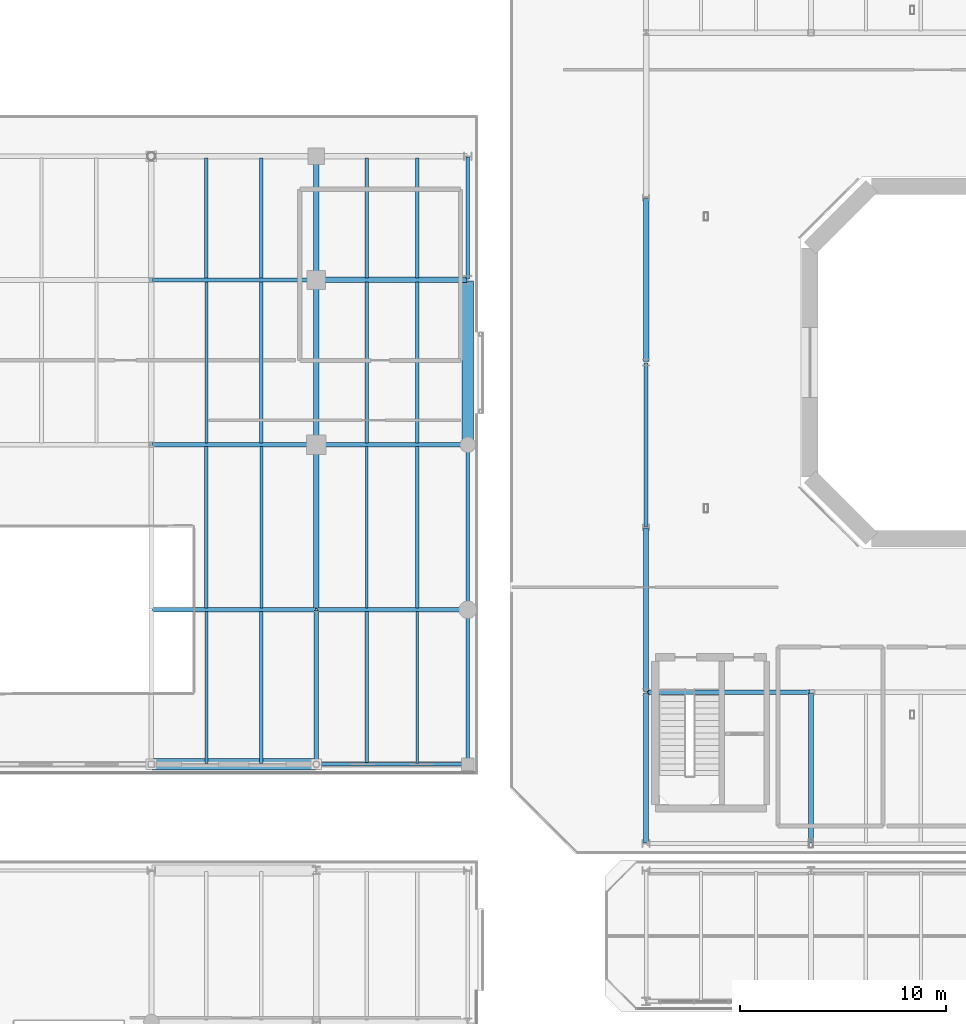
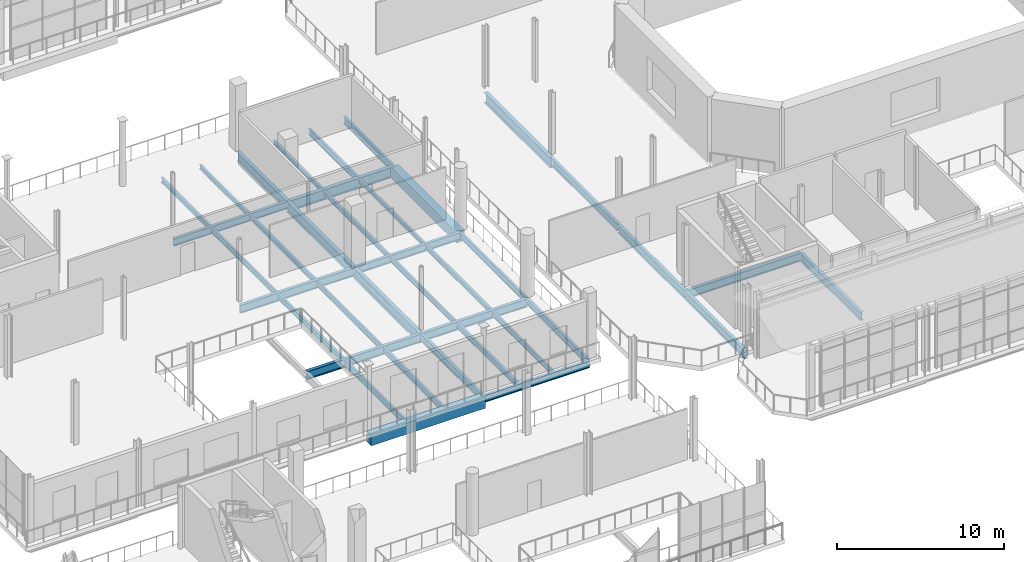
# One storey, part 35 of 93: 38 beams.
"""IFC4 building model written with IfcOpenShell, lengths in metres."""

from ifc_helpers import new_model, si_unit, direction, frame, origin, origin_2d, place, context, subcontext, project, spatial, rectangle, i_section, extrude, material, material_profile, profile_set, type_object, element, save


model = new_model("IFC4")

# Units and contexts
model_context = context("Model", 3, precision=1e-05, world=origin(), true_north=direction((0.0, 1.0)))
body_context = subcontext(model_context, "Body", "Model", "MODEL_VIEW")
ifc_project = project(units=[si_unit("LENGTHUNIT", "METRE"), si_unit("AREAUNIT", "SQUARE_METRE"), si_unit("VOLUMEUNIT", "CUBIC_METRE"), si_unit("PLANEANGLEUNIT", "RADIAN"), si_unit("MASSUNIT", "GRAM", prefix="KILO")], contexts=[model_context])

# Site, building, storey
site_placement = place(None, origin())
site = spatial("IfcSite", under=ifc_project, at=site_placement, CompositionType="ELEMENT")
building_placement = place(site_placement, origin())
building = spatial("IfcBuilding", under=site, at=building_placement, Name="Brisemont Oceanarium", CompositionType="ELEMENT")
storey_placement = place(building_placement, frame((0.0, 0.0, 5.39990234375)))
storey = spatial("IfcBuildingStorey", under=building, at=storey_placement, Name="L01", CompositionType="ELEMENT", Elevation=5.39990234375)

# Beams
ifc_material_1 = material(Name="Concrete C40/50", Category="concrete")
ifc_material_profile_1 = material_profile(ifc_material_1, rectangle(XDim=0.550048828125, YDim=0.800048828125, at=origin_2d()), Name="RC-BM-550X800")
ifc_profile_set_1 = profile_set([ifc_material_profile_1], Name="Concrete C40/50")
beam_type_1 = type_object("IfcBeamType", Name="BM-RC550X800", PredefinedType="SPANDREL", material=ifc_profile_set_1)
for number, where, z_axis, x_axis, name in (
    (1, (40.0400390625, 36.5, -0.699951171875), (1.0, 0.0, 0.0), (0.0, 1.0, 0.0), "V5W L01 EW girder"),
    (2, (55.35009765625, 52.0400390625, -0.699951171875), (0.0, 1.0, 0.0), (-1.0, 0.0, 0.0), "V5W L01 NS girder"),
):
    element("IfcBeam", number, at=place(storey_placement, frame(where, z_axis=z_axis, x_axis=x_axis)), inside=storey, type_object=beam_type_1, Name=name, PredefinedType="SPANDREL", context=body_context, shape_type="SweptSolid", body=[
        extrude(rectangle(XDim=0.550048828125, YDim=0.800048828125, at=origin_2d()), origin(), (0.0, 0.0, 1.0), 7.919921875),
    ])
ifc_material_2 = material(Name="Structural Steel ASTM A992 Gr.50", Category="steel")
ifc_material_profile_2 = material_profile(ifc_material_2, i_section(OverallWidth=0.1650390625, OverallDepth=0.31005859375, WebThickness=0.005859375, FlangeThickness=0.009765625, FilletRadius=0.008056640625, at=origin_2d()), Name="W12X26")
ifc_profile_set_2 = profile_set([ifc_material_profile_2], Name="Structural Steel ASTM A992 Gr.50")
beam_type_2 = type_object("IfcBeamType", Name="BM-W12X26", PredefinedType="JOIST", material=ifc_profile_set_2)
beam_1_placement = place(storey_placement, frame((45.333251953125, 60.090087890625, -0.454833984375), z_axis=(0.0, 1.0, 0.0), x_axis=(-1.0, 0.0, 0.0)))
element("IfcBeam", 3, at=beam_1_placement, inside=storey, type_object=beam_type_2, Name="V5W L01 secondary floor beam", PredefinedType="JOIST", context=body_context, shape_type="SweptSolid", body=[
    extrude(i_section(OverallWidth=0.1650390625, OverallDepth=0.31005859375, WebThickness=0.005859375, FlangeThickness=0.009765625, FilletRadius=0.008056640625, at=origin_2d()), origin(), (0.0, 0.0, 1.0), 5.81982421875),
])
beam_2_placement = place(storey_placement, frame((52.89990234375, 52.090087890625, -0.454833984375), z_axis=(0.0, 1.0, 0.0), x_axis=(-1.0, 0.0, 0.0)))
element("IfcBeam", 4, at=beam_2_placement, inside=storey, type_object=beam_type_2, Name="V5W L01 secondary floor beam", PredefinedType="JOIST", context=body_context, shape_type="SweptSolid", body=[
    extrude(i_section(OverallWidth=0.1650390625, OverallDepth=0.31005859375, WebThickness=0.005859375, FlangeThickness=0.009765625, FilletRadius=0.008056640625, at=origin_2d()), origin(), (0.0, 0.0, 1.0), 7.81982421875),
])
beam_3_placement = place(storey_placement, frame((50.449951171875, 60.090087890625, -0.454833984375), z_axis=(0.0, 1.0, 0.0), x_axis=(-1.0, 0.0, 0.0)))
element("IfcBeam", 5, at=beam_3_placement, inside=storey, type_object=beam_type_2, Name="V5W L01 secondary floor beam", PredefinedType="JOIST", context=body_context, shape_type="SweptSolid", body=[
    extrude(i_section(OverallWidth=0.1650390625, OverallDepth=0.31005859375, WebThickness=0.005859375, FlangeThickness=0.009765625, FilletRadius=0.008056640625, at=origin_2d()), origin(), (0.0, 0.0, 1.0), 5.81982421875),
])
ifc_material_3 = material(Name="Structural Steel ASTM A992 Gr.50", Category="steel")
ifc_material_profile_3 = material_profile(ifc_material_3, i_section(OverallWidth=0.1708984375, OverallDepth=0.35107421875, WebThickness=0.0068359375, FlangeThickness=0.009765625, FilletRadius=0.010009765625, at=origin_2d()), Name="W14X30")
ifc_profile_set_3 = profile_set([ifc_material_profile_3], Name="Structural Steel ASTM A992 Gr.50")
beam_type_3 = type_object("IfcBeamType", Name="BM-W14X30", PredefinedType="JOIST", material=ifc_profile_set_3)
beam_4_placement = place(storey_placement, frame((45.333251953125, 52.090087890625, -0.475341796875), z_axis=(0.0, 1.0, 0.0), x_axis=(-1.0, 0.0, 0.0)))
element("IfcBeam", 6, at=beam_4_placement, inside=storey, type_object=beam_type_3, Name="V5W L01 secondary floor beam", PredefinedType="JOIST", context=body_context, shape_type="SweptSolid", body=[
    extrude(i_section(OverallWidth=0.1708984375, OverallDepth=0.35107421875, WebThickness=0.0068359375, FlangeThickness=0.009765625, FilletRadius=0.010009765625, at=origin_2d()), origin(), (0.0, 0.0, 1.0), 7.81982421875),
])
beam_5_placement = place(storey_placement, frame((42.666748046875, 60.090087890625, -0.475341796875), z_axis=(0.0, 1.0, 0.0), x_axis=(-1.0, 0.0, 0.0)))
element("IfcBeam", 7, at=beam_5_placement, inside=storey, type_object=beam_type_3, Name="V5W L01 secondary floor beam", PredefinedType="JOIST", context=body_context, shape_type="SweptSolid", body=[
    extrude(i_section(OverallWidth=0.1708984375, OverallDepth=0.35107421875, WebThickness=0.0068359375, FlangeThickness=0.009765625, FilletRadius=0.010009765625, at=origin_2d()), origin(), (0.0, 0.0, 1.0), 5.81982421875),
])
for number, where, z_axis, x_axis, name in (
    (8, (52.89990234375, 44.090087890625, -0.475341796875), (0.0, 1.0, 0.0), (-1.0, 0.0, 0.0), "V5W L01 secondary floor beam"),
    (9, (50.449951171875, 52.090087890625, -0.475341796875), (0.0, 1.0, 0.0), (-1.0, 0.0, 0.0), "V5W L01 secondary floor beam"),
):
    element("IfcBeam", number, at=place(storey_placement, frame(where, z_axis=z_axis, x_axis=x_axis)), inside=storey, type_object=beam_type_3, Name=name, PredefinedType="JOIST", context=body_context, shape_type="SweptSolid", body=[
        extrude(i_section(OverallWidth=0.1708984375, OverallDepth=0.35107421875, WebThickness=0.0068359375, FlangeThickness=0.009765625, FilletRadius=0.010009765625, at=origin_2d()), origin(), (0.0, 0.0, 1.0), 7.81982421875),
    ])
ifc_material_4 = material(Name="Structural Steel ASTM A992 Gr.50", Category="steel")
ifc_material_profile_4 = material_profile(ifc_material_4, i_section(OverallWidth=0.139892578125, OverallDepth=0.39892578125, WebThickness=0.00634765625, FlangeThickness=0.0087890625, FilletRadius=0.010009765625, at=origin_2d()), Name="W16X26")
ifc_profile_set_4 = profile_set([ifc_material_profile_4], Name="Structural Steel ASTM A992 Gr.50")
beam_type_4 = type_object("IfcBeamType", Name="BM-W16X26", PredefinedType="JOIST", material=ifc_profile_set_4)
for number, where, z_axis, x_axis, name in (
    (10, (45.333251953125, 44.090087890625, -0.49951171875), (0.0, 1.0, 0.0), (-1.0, 0.0, 0.0), "V5W L01 secondary floor beam"),
    (11, (42.666748046875, 52.090087890625, -0.49951171875), (0.0, 1.0, 0.0), (-1.0, 0.0, 0.0), "V5W L01 secondary floor beam"),
):
    element("IfcBeam", number, at=place(storey_placement, frame(where, z_axis=z_axis, x_axis=x_axis)), inside=storey, type_object=beam_type_4, Name=name, PredefinedType="JOIST", context=body_context, shape_type="SweptSolid", body=[
        extrude(i_section(OverallWidth=0.139892578125, OverallDepth=0.39892578125, WebThickness=0.00634765625, FlangeThickness=0.0087890625, FilletRadius=0.010009765625, at=origin_2d()), origin(), (0.0, 0.0, 1.0), 7.81982421875),
    ])
beam_6_placement = place(storey_placement, frame((52.89990234375, 36.5400390625, -0.49951171875), z_axis=(0.0, 1.0, 0.0), x_axis=(-1.0, 0.0, 0.0)))
element("IfcBeam", 12, at=beam_6_placement, inside=storey, type_object=beam_type_4, Name="V5W L01 secondary floor beam", PredefinedType="JOIST", context=body_context, shape_type="SweptSolid", body=[
    extrude(i_section(OverallWidth=0.139892578125, OverallDepth=0.39892578125, WebThickness=0.00634765625, FlangeThickness=0.0087890625, FilletRadius=0.010009765625, at=origin_2d()), origin(), (0.0, 0.0, 1.0), 7.369873046875),
])
beam_7_placement = place(storey_placement, frame((50.449951171875, 44.090087890625, -0.49951171875), z_axis=(0.0, 1.0, 0.0), x_axis=(-1.0, 0.0, 0.0)))
element("IfcBeam", 13, at=beam_7_placement, inside=storey, type_object=beam_type_4, Name="V5W L01 secondary floor beam", PredefinedType="JOIST", context=body_context, shape_type="SweptSolid", body=[
    extrude(i_section(OverallWidth=0.139892578125, OverallDepth=0.39892578125, WebThickness=0.00634765625, FlangeThickness=0.0087890625, FilletRadius=0.010009765625, at=origin_2d()), origin(), (0.0, 0.0, 1.0), 7.81982421875),
])
ifc_material_5 = material(Name="Structural Steel ASTM A992 Gr.50", Category="steel")
ifc_material_profile_5 = material_profile(ifc_material_5, i_section(OverallWidth=0.177978515625, OverallDepth=0.404052734375, WebThickness=0.007568359375, FlangeThickness=0.010986328125, FilletRadius=0.010009765625, at=origin_2d()), Name="W16X36")
ifc_profile_set_5 = profile_set([ifc_material_profile_5], Name="Structural Steel ASTM A992 Gr.50")
beam_type_5 = type_object("IfcBeamType", Name="BM-W16X36", PredefinedType="JOIST", material=ifc_profile_set_5)
beam_8_placement = place(storey_placement, frame((45.333251953125, 36.5400390625, -0.501953125), z_axis=(0.0, 1.0, 0.0), x_axis=(-1.0, 0.0, 0.0)))
element("IfcBeam", 14, at=beam_8_placement, inside=storey, type_object=beam_type_5, Name="V5W L01 secondary floor beam", PredefinedType="JOIST", context=body_context, shape_type="SweptSolid", body=[
    extrude(i_section(OverallWidth=0.177978515625, OverallDepth=0.404052734375, WebThickness=0.007568359375, FlangeThickness=0.010986328125, FilletRadius=0.010009765625, at=origin_2d()), origin(), (0.0, 0.0, 1.0), 7.369873046875),
])
beam_9_placement = place(storey_placement, frame((42.666748046875, 44.090087890625, -0.501953125), z_axis=(0.0, 1.0, 0.0), x_axis=(-1.0, 0.0, 0.0)))
element("IfcBeam", 15, at=beam_9_placement, inside=storey, type_object=beam_type_5, Name="V5W L01 secondary floor beam", PredefinedType="JOIST", context=body_context, shape_type="SweptSolid", body=[
    extrude(i_section(OverallWidth=0.177978515625, OverallDepth=0.404052734375, WebThickness=0.007568359375, FlangeThickness=0.010986328125, FilletRadius=0.010009765625, at=origin_2d()), origin(), (0.0, 0.0, 1.0), 7.81982421875),
])
beam_10_placement = place(storey_placement, frame((50.449951171875, 36.5400390625, -0.501953125), z_axis=(0.0, 1.0, 0.0), x_axis=(-1.0, 0.0, 0.0)))
element("IfcBeam", 16, at=beam_10_placement, inside=storey, type_object=beam_type_5, Name="V5W L01 secondary floor beam", PredefinedType="JOIST", context=body_context, shape_type="SweptSolid", body=[
    extrude(i_section(OverallWidth=0.177978515625, OverallDepth=0.404052734375, WebThickness=0.007568359375, FlangeThickness=0.010986328125, FilletRadius=0.010009765625, at=origin_2d()), origin(), (0.0, 0.0, 1.0), 7.369873046875),
])
ifc_material_6 = material(Name="Structural Steel ASTM A992 Gr.50", Category="steel")
ifc_material_profile_6 = material_profile(ifc_material_6, i_section(OverallWidth=0.153076171875, OverallDepth=0.455078125, WebThickness=0.008056640625, FlangeThickness=0.01318359375, FilletRadius=0.010986328125, at=origin_2d()), Name="W18X40")
ifc_profile_set_6 = profile_set([ifc_material_profile_6], Name="Structural Steel ASTM A992 Gr.50")
beam_type_6 = type_object("IfcBeamType", Name="BM-W18X40", PredefinedType="JOIST", material=ifc_profile_set_6)
beam_11_placement = place(storey_placement, frame((42.666748046875, 36.5400390625, -0.52734375), z_axis=(0.0, 1.0, 0.0), x_axis=(-1.0, 0.0, 0.0)))
element("IfcBeam", 17, at=beam_11_placement, inside=storey, type_object=beam_type_6, Name="V5W L01 secondary floor beam", PredefinedType="JOIST", context=body_context, shape_type="SweptSolid", body=[
    extrude(i_section(OverallWidth=0.153076171875, OverallDepth=0.455078125, WebThickness=0.008056640625, FlangeThickness=0.01318359375, FilletRadius=0.010986328125, at=origin_2d()), origin(), (0.0, 0.0, 1.0), 7.369873046875),
])
beam_12_placement = place(storey_placement, frame((52.89990234375, 60.090087890625, -0.52734375), z_axis=(0.0, 1.0, 0.0), x_axis=(-1.0, 0.0, 0.0)))
element("IfcBeam", 18, at=beam_12_placement, inside=storey, type_object=beam_type_6, Name="V5W L01 secondary floor beam", PredefinedType="JOIST", context=body_context, shape_type="SweptSolid", body=[
    extrude(i_section(OverallWidth=0.153076171875, OverallDepth=0.455078125, WebThickness=0.008056640625, FlangeThickness=0.01318359375, FilletRadius=0.010986328125, at=origin_2d()), origin(), (0.0, 0.0, 1.0), 5.81982421875),
])
ifc_material_7 = material(Name="Structural Steel ASTM A992 Gr.50", Category="steel")
ifc_material_profile_7 = material_profile(ifc_material_7, i_section(OverallWidth=0.154052734375, OverallDepth=0.458984375, WebThickness=0.009033203125, FlangeThickness=0.015380859375, FilletRadius=0.010986328125, at=origin_2d()), Name="W18X46")
ifc_profile_set_7 = profile_set([ifc_material_profile_7], Name="Structural Steel ASTM A992 Gr.50")
beam_type_7 = type_object("IfcBeamType", Name="BM-W18X46", PredefinedType="SPANDREL", material=ifc_profile_set_7)
beam_13_placement = place(storey_placement, frame((55.35009765625, 44.0400390625, -0.529296875), z_axis=(0.0, 1.0, 0.0), x_axis=(-1.0, 0.0, 0.0)))
element("IfcBeam", 19, at=beam_13_placement, inside=storey, type_object=beam_type_7, Name="V5W L01 NS girder", PredefinedType="SPANDREL", context=body_context, shape_type="SweptSolid", body=[
    extrude(i_section(OverallWidth=0.154052734375, OverallDepth=0.458984375, WebThickness=0.009033203125, FlangeThickness=0.015380859375, FilletRadius=0.010986328125, at=origin_2d()), origin(), (0.0, 0.0, 1.0), 7.919921875),
])
ifc_material_8 = material(Name="Structural Steel ASTM A992 Gr.50", Category="steel")
ifc_material_profile_8 = material_profile(ifc_material_8, i_section(OverallWidth=0.19091796875, OverallDepth=0.4599609375, WebThickness=0.010009765625, FlangeThickness=0.01611328125, FilletRadius=0.010986328125, at=origin_2d()), Name="W18X55")
ifc_profile_set_8 = profile_set([ifc_material_profile_8], Name="Structural Steel ASTM A992 Gr.50")
beam_type_8 = type_object("IfcBeamType", Name="BM-W18X55", PredefinedType="SPANDREL", material=ifc_profile_set_8)
beam_14_placement = place(storey_placement, frame((55.35009765625, 36.5400390625, -0.52978515625), z_axis=(0.0, 1.0, 0.0), x_axis=(-1.0, 0.0, 0.0)))
element("IfcBeam", 20, at=beam_14_placement, inside=storey, type_object=beam_type_8, Name="V5W L01 NS girder", PredefinedType="SPANDREL", context=body_context, shape_type="SweptSolid", body=[
    extrude(i_section(OverallWidth=0.19091796875, OverallDepth=0.4599609375, WebThickness=0.010009765625, FlangeThickness=0.01611328125, FilletRadius=0.010986328125, at=origin_2d()), origin(), (0.0, 0.0, 1.0), 7.419921875),
])
ifc_material_9 = material(Name="Structural Steel ASTM A992 Gr.50", Category="steel")
ifc_material_profile_9 = material_profile(ifc_material_9, i_section(OverallWidth=0.166015625, OverallDepth=0.528076171875, WebThickness=0.009765625, FlangeThickness=0.013671875, FilletRadius=0.012939453125, at=origin_2d()), Name="W21X50")
ifc_profile_set_9 = profile_set([ifc_material_profile_9], Name="Structural Steel ASTM A992 Gr.50")
beam_type_9 = type_object("IfcBeamType", Name="BM-W21X50", PredefinedType="SPANDREL", material=ifc_profile_set_9)
beam_15_placement = place(storey_placement, frame((48.0400390625, 36.5, -0.56396484375), z_axis=(1.0, 0.0, 0.0), x_axis=(0.0, 1.0, 0.0)))
element("IfcBeam", 21, at=beam_15_placement, inside=storey, type_object=beam_type_9, Name="V5W L01 EW girder", PredefinedType="SPANDREL", context=body_context, shape_type="SweptSolid", body=[
    extrude(i_section(OverallWidth=0.166015625, OverallDepth=0.528076171875, WebThickness=0.009765625, FlangeThickness=0.013671875, FilletRadius=0.012939453125, at=origin_2d()), origin(), (0.0, 0.0, 1.0), 7.27001953125),
])
beam_16_placement = place(storey_placement, frame((55.35009765625, 60.0400390625, -0.56396484375), z_axis=(0.0, 1.0, 0.0), x_axis=(-1.0, 0.0, 0.0)))
element("IfcBeam", 22, at=beam_16_placement, inside=storey, type_object=beam_type_9, Name="V5W L01 NS girder", PredefinedType="SPANDREL", context=body_context, shape_type="SweptSolid", body=[
    extrude(i_section(OverallWidth=0.166015625, OverallDepth=0.528076171875, WebThickness=0.009765625, FlangeThickness=0.013671875, FilletRadius=0.012939453125, at=origin_2d()), origin(), (0.0, 0.0, 1.0), 5.919921875),
])
ifc_material_10 = material(Name="Structural Steel ASTM A992 Gr.50", Category="steel")
ifc_material_profile_10 = material_profile(ifc_material_10, i_section(OverallWidth=0.2099609375, OverallDepth=0.532958984375, WebThickness=0.01025390625, FlangeThickness=0.015625, FilletRadius=0.012939453125, at=origin_2d()), Name="W21X62")
ifc_profile_set_10 = profile_set([ifc_material_profile_10], Name="Structural Steel ASTM A992 Gr.50")
beam_type_10 = type_object("IfcBeamType", Name="BM-W21X62", PredefinedType="BEAM", material=ifc_profile_set_10)
beam_17_placement = place(storey_placement, frame((64.0, 48.0400390625, -0.6064453125), z_axis=(0.0, 1.0, 0.0), x_axis=(-1.0, 0.0, 0.0)))
element("IfcBeam", 23, at=beam_17_placement, inside=storey, type_object=beam_type_10, Name="V1 L01 NS girder", PredefinedType="BEAM", context=body_context, shape_type="SweptSolid", body=[
    extrude(i_section(OverallWidth=0.2099609375, OverallDepth=0.532958984375, WebThickness=0.01025390625, FlangeThickness=0.015625, FilletRadius=0.012939453125, at=origin_2d()), origin(), (0.0, 0.0, 1.0), 7.919921875),
])
beam_18_placement = place(storey_placement, frame((48.0400390625, 52.0, -0.56640625), z_axis=(1.0, 0.0, 0.0), x_axis=(0.0, 1.0, 0.0)))
element("IfcBeam", 24, at=beam_18_placement, inside=storey, type_object=beam_type_10, Name="V5W L01 EW girder", PredefinedType="BEAM", context=body_context, shape_type="SweptSolid", body=[
    extrude(i_section(OverallWidth=0.2099609375, OverallDepth=0.532958984375, WebThickness=0.01025390625, FlangeThickness=0.015625, FilletRadius=0.012939453125, at=origin_2d()), origin(), (0.0, 0.0, 1.0), 7.27001953125),
])
beam_19_placement = place(storey_placement, frame((40.0400390625, 60.0, -0.56640625), z_axis=(1.0, 0.0, 0.0), x_axis=(0.0, 1.0, 0.0)))
element("IfcBeam", 25, at=beam_19_placement, inside=storey, type_object=beam_type_10, Name="V5W L01 EW girder", PredefinedType="BEAM", context=body_context, shape_type="SweptSolid", body=[
    extrude(i_section(OverallWidth=0.2099609375, OverallDepth=0.532958984375, WebThickness=0.01025390625, FlangeThickness=0.015625, FilletRadius=0.012939453125, at=origin_2d()), origin(), (0.0, 0.0, 1.0), 7.919921875),
])
beam_20_placement = place(storey_placement, frame((48.0, 36.5400390625, -0.56640625), z_axis=(0.0, 1.0, 0.0), x_axis=(-1.0, 0.0, 0.0)))
element("IfcBeam", 26, at=beam_20_placement, inside=storey, type_object=beam_type_10, Name="V5W L01 NS girder", PredefinedType="BEAM", context=body_context, shape_type="SweptSolid", body=[
    extrude(i_section(OverallWidth=0.2099609375, OverallDepth=0.532958984375, WebThickness=0.01025390625, FlangeThickness=0.015625, FilletRadius=0.012939453125, at=origin_2d()), origin(), (0.0, 0.0, 1.0), 7.419921875),
])
ifc_material_11 = material(Name="Structural Steel ASTM A992 Gr.50", Category="steel")
ifc_material_profile_11 = material_profile(ifc_material_11, i_section(OverallWidth=0.22802734375, OverallDepth=0.60205078125, WebThickness=0.010498046875, FlangeThickness=0.014892578125, FilletRadius=0.012939453125, at=origin_2d()), Name="W24X68")
ifc_profile_set_11 = profile_set([ifc_material_profile_11], Name="Structural Steel ASTM A992 Gr.50")
beam_type_11 = type_object("IfcBeamType", Name="BM-W24X68", PredefinedType="BEAM", material=ifc_profile_set_11)
beam_21_placement = place(storey_placement, frame((64.0, 40.0400390625, -0.640869140625), z_axis=(0.0, 1.0, 0.0), x_axis=(-1.0, 0.0, 0.0)))
element("IfcBeam", 27, at=beam_21_placement, inside=storey, type_object=beam_type_11, Name="V1 L01 NS girder", PredefinedType="BEAM", context=body_context, shape_type="SweptSolid", body=[
    extrude(i_section(OverallWidth=0.22802734375, OverallDepth=0.60205078125, WebThickness=0.010498046875, FlangeThickness=0.014892578125, FilletRadius=0.012939453125, at=origin_2d()), origin(), (0.0, 0.0, 1.0), 7.919921875),
])
for number, where, z_axis, x_axis, name in (
    (28, (72.0, 32.68994140625, -0.640869140625), (0.0, 1.0, 0.0), (-1.0, 0.0, 0.0), "V1 L01 NS girder"),
    (29, (48.0400390625, 44.0, -0.600830078125), (1.0, 0.0, 0.0), (0.0, 1.0, 0.0), "V5W L01 EW girder"),
):
    element("IfcBeam", number, at=place(storey_placement, frame(where, z_axis=z_axis, x_axis=x_axis)), inside=storey, type_object=beam_type_11, Name=name, PredefinedType="BEAM", context=body_context, shape_type="SweptSolid", body=[
        extrude(i_section(OverallWidth=0.22802734375, OverallDepth=0.60205078125, WebThickness=0.010498046875, FlangeThickness=0.014892578125, FilletRadius=0.012939453125, at=origin_2d()), origin(), (0.0, 0.0, 1.0), 7.27001953125),
    ])
beam_22_placement = place(storey_placement, frame((40.0400390625, 52.0, -0.600830078125), z_axis=(1.0, 0.0, 0.0), x_axis=(0.0, 1.0, 0.0)))
element("IfcBeam", 30, at=beam_22_placement, inside=storey, type_object=beam_type_11, Name="V5W L01 EW girder", PredefinedType="BEAM", context=body_context, shape_type="SweptSolid", body=[
    extrude(i_section(OverallWidth=0.22802734375, OverallDepth=0.60205078125, WebThickness=0.010498046875, FlangeThickness=0.014892578125, FilletRadius=0.012939453125, at=origin_2d()), origin(), (0.0, 0.0, 1.0), 7.919921875),
])
ifc_material_12 = material(Name="Structural Steel ASTM A992 Gr.50", Category="steel")
ifc_material_profile_12 = material_profile(ifc_material_12, i_section(OverallWidth=0.22802734375, OverallDepth=0.60791015625, WebThickness=0.01123046875, FlangeThickness=0.017333984375, FilletRadius=0.012939453125, at=origin_2d()), Name="W24X76")
ifc_profile_set_12 = profile_set([ifc_material_profile_12], Name="Structural Steel ASTM A992 Gr.50")
beam_type_12 = type_object("IfcBeamType", Name="BM-W24X76", PredefinedType="BEAM", material=ifc_profile_set_12)
beam_23_placement = place(storey_placement, frame((64.0, 32.68994140625, -0.643798828125), z_axis=(0.0, 1.0, 0.0), x_axis=(-1.0, 0.0, 0.0)))
element("IfcBeam", 31, at=beam_23_placement, inside=storey, type_object=beam_type_12, Name="V1 L01 NS girder", PredefinedType="BEAM", context=body_context, shape_type="SweptSolid", body=[
    extrude(i_section(OverallWidth=0.22802734375, OverallDepth=0.60791015625, WebThickness=0.01123046875, FlangeThickness=0.017333984375, FilletRadius=0.012939453125, at=origin_2d()), origin(), (0.0, 0.0, 1.0), 7.27001953125),
])
beam_24_placement = place(storey_placement, frame((40.0400390625, 44.0, -0.60400390625), z_axis=(1.0, 0.0, 0.0), x_axis=(0.0, 1.0, 0.0)))
element("IfcBeam", 32, at=beam_24_placement, inside=storey, type_object=beam_type_12, Name="V5W L01 EW girder", PredefinedType="BEAM", context=body_context, shape_type="SweptSolid", body=[
    extrude(i_section(OverallWidth=0.22802734375, OverallDepth=0.60791015625, WebThickness=0.01123046875, FlangeThickness=0.017333984375, FilletRadius=0.012939453125, at=origin_2d()), origin(), (0.0, 0.0, 1.0), 7.919921875),
])
ifc_material_13 = material(Name="Structural Steel ASTM A992 Gr.50", Category="steel")
ifc_material_profile_13 = material_profile(ifc_material_13, i_section(OverallWidth=0.22900390625, OverallDepth=0.612060546875, WebThickness=0.011962890625, FlangeThickness=0.01953125, FilletRadius=0.012939453125, at=origin_2d()), Name="W24X84")
ifc_profile_set_13 = profile_set([ifc_material_profile_13], Name="Structural Steel ASTM A992 Gr.50")
beam_type_13 = type_object("IfcBeamType", Name="BM-W24X84", PredefinedType="BEAM", material=ifc_profile_set_13)
beam_25_placement = place(storey_placement, frame((64.0400390625, 40.0, -0.64599609375), z_axis=(1.0, 0.0, 0.0), x_axis=(0.0, 1.0, 0.0)))
element("IfcBeam", 33, at=beam_25_placement, inside=storey, type_object=beam_type_13, Name="V1 L01 EW girder", PredefinedType="BEAM", context=body_context, shape_type="SweptSolid", body=[
    extrude(i_section(OverallWidth=0.22900390625, OverallDepth=0.612060546875, WebThickness=0.011962890625, FlangeThickness=0.01953125, FilletRadius=0.012939453125, at=origin_2d()), origin(), (0.0, 0.0, 1.0), 7.919921875),
])
ifc_material_14 = material(Name="Structural Steel ASTM A992 Gr.50", Category="steel")
ifc_material_profile_14 = material_profile(ifc_material_14, i_section(OverallWidth=0.25390625, OverallDepth=0.68310546875, WebThickness=0.012451171875, FlangeThickness=0.018798828125, FilletRadius=0.014892578125, at=origin_2d()), Name="W27X94")
ifc_profile_set_14 = profile_set([ifc_material_profile_14], Name="Structural Steel ASTM A992 Gr.50")
beam_type_14 = type_object("IfcBeamType", Name="BM-W27X94", PredefinedType="BEAM", material=ifc_profile_set_14)
beam_26_placement = place(storey_placement, frame((48.0, 60.0400390625, -0.641357421875), z_axis=(0.0, 1.0, 0.0), x_axis=(-1.0, 0.0, 0.0)))
element("IfcBeam", 34, at=beam_26_placement, inside=storey, type_object=beam_type_14, Name="V5W L01 NS girder", PredefinedType="BEAM", context=body_context, shape_type="SweptSolid", body=[
    extrude(i_section(OverallWidth=0.25390625, OverallDepth=0.68310546875, WebThickness=0.012451171875, FlangeThickness=0.018798828125, FilletRadius=0.014892578125, at=origin_2d()), origin(), (0.0, 0.0, 1.0), 5.919921875),
])
ifc_material_15 = material(Name="Structural Steel ASTM A992 Gr.50", Category="steel")
ifc_material_profile_15 = material_profile(ifc_material_15, i_section(OverallWidth=0.26708984375, OverallDepth=0.761962890625, WebThickness=0.014404296875, FlangeThickness=0.021484375, FilletRadius=0.01611328125, at=origin_2d()), Name="W30X116")
ifc_profile_set_15 = profile_set([ifc_material_profile_15], Name="Structural Steel ASTM A992 Gr.50")
beam_type_15 = type_object("IfcBeamType", Name="BM-W30X116", PredefinedType="BEAM", material=ifc_profile_set_15)
beam_27_placement = place(storey_placement, frame((64.0, 56.0400390625, -0.720947265625), z_axis=(0.0, 1.0, 0.0), x_axis=(-1.0, 0.0, 0.0)))
element("IfcBeam", 35, at=beam_27_placement, inside=storey, type_object=beam_type_15, Name="V1 L01 NS girder", PredefinedType="BEAM", context=body_context, shape_type="SweptSolid", body=[
    extrude(i_section(OverallWidth=0.26708984375, OverallDepth=0.761962890625, WebThickness=0.014404296875, FlangeThickness=0.021484375, FilletRadius=0.01611328125, at=origin_2d()), origin(), (0.0, 0.0, 1.0), 7.919921875),
])
beam_28_placement = place(storey_placement, frame((48.0400390625, 60.0, -0.680908203125), z_axis=(1.0, 0.0, 0.0), x_axis=(0.0, 1.0, 0.0)))
element("IfcBeam", 36, at=beam_28_placement, inside=storey, type_object=beam_type_15, Name="V5W L01 EW girder", PredefinedType="BEAM", context=body_context, shape_type="SweptSolid", body=[
    extrude(i_section(OverallWidth=0.26708984375, OverallDepth=0.761962890625, WebThickness=0.014404296875, FlangeThickness=0.021484375, FilletRadius=0.01611328125, at=origin_2d()), origin(), (0.0, 0.0, 1.0), 7.27001953125),
])
beam_29_placement = place(storey_placement, frame((48.0, 44.0400390625, -0.680908203125), z_axis=(0.0, 1.0, 0.0), x_axis=(-1.0, 0.0, 0.0)))
element("IfcBeam", 37, at=beam_29_placement, inside=storey, type_object=beam_type_15, Name="V5W L01 NS girder", PredefinedType="BEAM", context=body_context, shape_type="SweptSolid", body=[
    extrude(i_section(OverallWidth=0.26708984375, OverallDepth=0.761962890625, WebThickness=0.014404296875, FlangeThickness=0.021484375, FilletRadius=0.01611328125, at=origin_2d()), origin(), (0.0, 0.0, 1.0), 7.919921875),
])
ifc_material_16 = material(Name="Structural Steel ASTM A992 Gr.50", Category="steel")
ifc_material_profile_16 = material_profile(ifc_material_16, i_section(OverallWidth=0.264892578125, OverallDepth=0.7529296875, WebThickness=0.01318359375, FlangeThickness=0.01708984375, FilletRadius=0.01611328125, at=origin_2d()), Name="W30X99")
ifc_profile_set_16 = profile_set([ifc_material_profile_16], Name="Structural Steel ASTM A992 Gr.50")
beam_type_16 = type_object("IfcBeamType", Name="BM-W30X99", PredefinedType="BEAM", material=ifc_profile_set_16)
beam_30_placement = place(storey_placement, frame((48.0, 52.0400390625, -0.676513671875), z_axis=(0.0, 1.0, 0.0), x_axis=(-1.0, 0.0, 0.0)))
element("IfcBeam", 38, at=beam_30_placement, inside=storey, type_object=beam_type_16, Name="V5W L01 NS girder", PredefinedType="BEAM", context=body_context, shape_type="SweptSolid", body=[
    extrude(i_section(OverallWidth=0.264892578125, OverallDepth=0.7529296875, WebThickness=0.01318359375, FlangeThickness=0.01708984375, FilletRadius=0.01611328125, at=origin_2d()), origin(), (0.0, 0.0, 1.0), 7.919921875),
])

save(model, "model.ifc")
